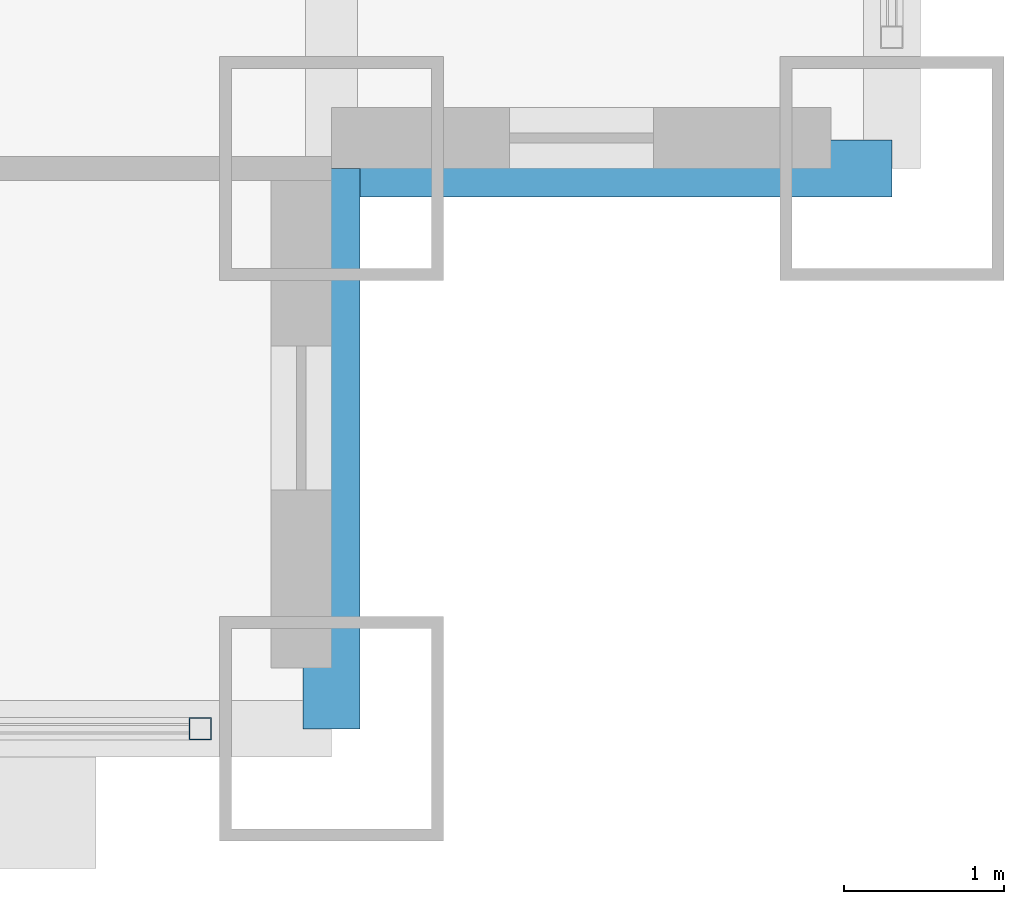
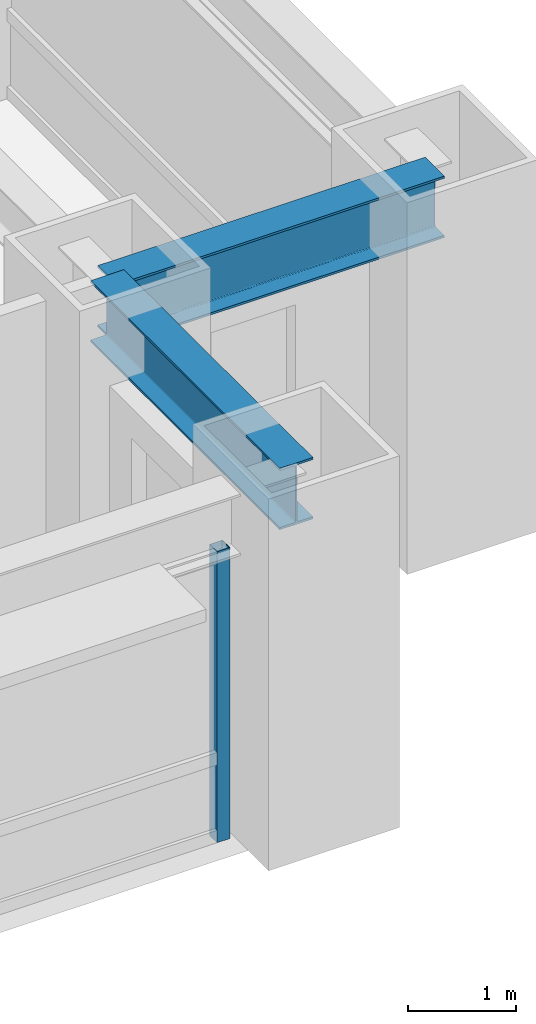
# One storey, part 10 of 31: 2 beams, 1 member, 1 element without a shape of its own.
"""IFC4 building model written with IfcOpenShell, lengths in metres."""

from ifc_helpers import new_model, si_unit, direction, frame, origin, origin_2d, place, context, subcontext, project, spatial, hollow_rectangle, i_section, extrude, source, transform, mapped, material, material_profile, profile_set, type_object, element, aggregate, save


model = new_model("IFC4")

# Units and contexts
model_context = context("Model", 3, precision=1e-05, world=origin(), true_north=direction((0.0, 1.0)))
body_context = subcontext(model_context, "Body", "Model", "MODEL_VIEW")
ifc_project = project(units=[si_unit("LENGTHUNIT", "METRE"), si_unit("AREAUNIT", "SQUARE_METRE"), si_unit("VOLUMEUNIT", "CUBIC_METRE"), si_unit("PLANEANGLEUNIT", "RADIAN"), si_unit("MASSUNIT", "GRAM", prefix="KILO")], contexts=[model_context])

# Site, building, storey
site_placement = place(None, origin())
site = spatial("IfcSite", under=ifc_project, at=site_placement, CompositionType="ELEMENT")
building_placement = place(site_placement, origin())
building = spatial("IfcBuilding", under=site, at=building_placement, Name="Khorayat Bourse Tower", CompositionType="ELEMENT")
storey_placement = place(building_placement, frame((0.0, 0.0, 41.0)))
storey = spatial("IfcBuildingStorey", under=building, at=storey_placement, Name="L08", CompositionType="ELEMENT", Elevation=41.0)

# Beams
ifc_material_1 = material(Name="Steel ASTM A992 Grade 50", Category="steel")
ifc_material_profile_1 = material_profile(ifc_material_1, i_section(OverallWidth=0.35498046875, OverallDepth=0.695068359375, WebThickness=0.015380859375, FlangeThickness=0.02490234375, FilletRadius=0.01806640625, at=origin_2d()), Name="W690X217")
ifc_profile_set_1 = profile_set([ifc_material_profile_1], Name="Steel ASTM A992 Grade 50")
beam_type = type_object("IfcBeamType", Name="BM-SPAN-690", PredefinedType="SPANDREL", material=ifc_profile_set_1)
shared_shape_1 = source(origin(), body_context, "Body", "SweptSolid", [
    extrude(i_section(OverallWidth=0.35498046875, OverallDepth=0.695068359375, WebThickness=0.015380859375, FlangeThickness=0.02490234375, FilletRadius=0.01806640625, at=origin_2d()), origin(), (0.0, 0.0, 1.0), 3.5),
])
for number, where, z_axis, x_axis, name in (
    (1, (28.5, -32.0, 3.592529296875), (0.0, 1.0, 0.0), (-1.0, 0.0, 0.0), "L08 BM-SPAN-690 BM-L08-SPN-032"),
    (2, (28.5, -28.5, 3.592529296875), (1.0, 0.0, 0.0), (0.0, 1.0, 0.0), "L08 BM-SPAN-690 BM-L08-SPN-033"),
):
    element("IfcBeam", number, at=place(storey_placement, frame(where, z_axis=z_axis, x_axis=x_axis)), inside=storey, type_object=beam_type, Name=name, PredefinedType="SPANDREL", context=body_context, shape_type="MappedRepresentation", body=[
        mapped(shared_shape_1, transform((0.0, 0.0, 0.0), scale=1.0)),
    ])

# Curtain wall, member
ifc_material_2 = material(Name="Aluminium EN AW-6063 T6", Category="aluminium")
curtain_wall_type = type_object("IfcCurtainWallType", Name="CW-SYS-02", PredefinedType="NOTDEFINED", material=ifc_material_2)
curtain_wall_placement = place(storey_placement, origin())
curtain_wall = element("IfcCurtainWall", 3, at=curtain_wall_placement, inside=storey, type_object=curtain_wall_type, Name="L08 Curtain Wall CW-L08-S1", PredefinedType="NOTDEFINED")
ifc_material_profile_2 = material_profile(ifc_material_2, hollow_rectangle(XDim=0.139892578125, YDim=0.139892578125, WallThickness=0.006103515625, at=origin_2d()), Name="ALU 140x140x6")
ifc_profile_set_2 = profile_set([ifc_material_profile_2], Name="Aluminium EN AW-6063 T6")
member_type = type_object("IfcMemberType", Name="CWM-VERT-140", PredefinedType="MULLION", material=ifc_profile_set_2)
shared_shape_2 = source(origin(), body_context, "Body", "SweptSolid", [
    extrude(hollow_rectangle(XDim=0.139892578125, YDim=0.139892578125, WallThickness=0.006103515625, at=origin_2d()), origin(), (0.0, 0.0, 1.0), 3.2900390625),
])
member_placement = place(storey_placement, frame((27.679931640625, -32.0, 0.0), z_axis=(0.0, 0.0, 1.0), x_axis=(0.0, 1.0, 0.0)))
member = element("IfcMember", 4, at=member_placement, type_object=member_type, Name="CW-L08-S1 Vertical Mullion 4", PredefinedType="MULLION", context=body_context, shape_type="MappedRepresentation", body=[
    mapped(shared_shape_2, transform((0.0, 0.0, 0.0), scale=1.0)),
])
aggregate(curtain_wall, [member])

save(model, "model.ifc")
